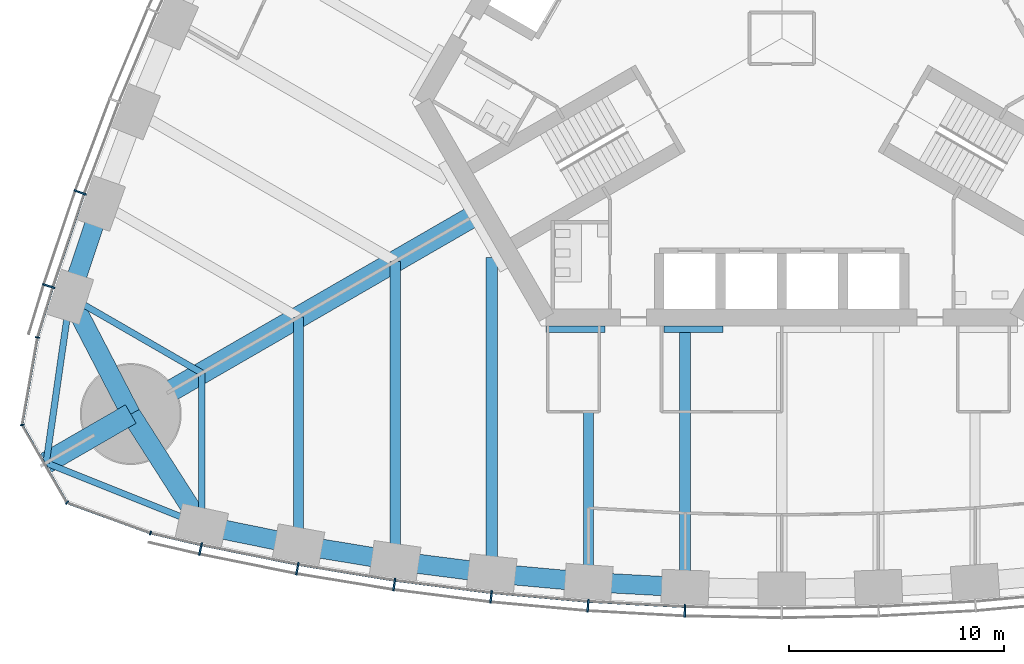
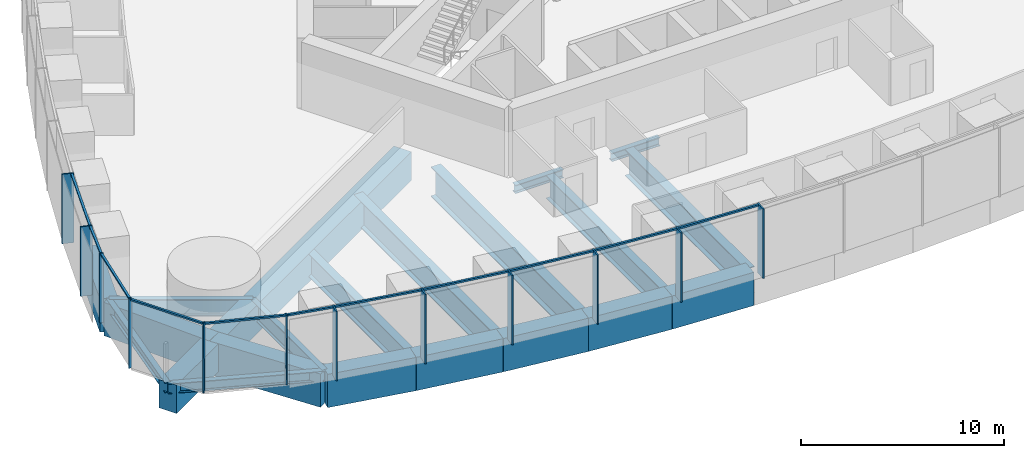
# One storey, part 2 of 19: 23 members, 21 beams, 3 elements without a shape of their own.
"""IFC4 building model written with IfcOpenShell, lengths in metres."""

from ifc_helpers import new_model, si_unit, direction, frame, origin, origin_2d, place, context, subcontext, project, spatial, rectangle, i_section, extrude, material, material_profile, profile_set, type_object, element, aggregate, save


model = new_model("IFC4")

# Units and contexts
model_context = context("Model", 3, precision=1e-05, world=origin(), true_north=direction((0.0, 1.0)))
body_context = subcontext(model_context, "Body", "Model", "MODEL_VIEW")
ifc_project = project(units=[si_unit("LENGTHUNIT", "METRE"), si_unit("AREAUNIT", "SQUARE_METRE"), si_unit("VOLUMEUNIT", "CUBIC_METRE"), si_unit("PLANEANGLEUNIT", "RADIAN"), si_unit("MASSUNIT", "GRAM", prefix="KILO")], contexts=[model_context])

# Site, building, storey
site_placement = place(None, origin())
site = spatial("IfcSite", under=ifc_project, at=site_placement, CompositionType="ELEMENT")
building_placement = place(site_placement, origin())
building = spatial("IfcBuilding", under=site, at=building_placement, Name="Trefoil Bronze Tower", CompositionType="ELEMENT")
storey_placement = place(building_placement, frame((0.0, 0.0, 107.300048828125)))
storey = spatial("IfcBuildingStorey", under=building, at=storey_placement, Name="L24", CompositionType="ELEMENT", Elevation=107.300048828125)

# Curtain wall, members
ifc_material_1 = material(Name="Tinted solar-control glass", Category="glass")
curtain_wall_type_1 = type_object("IfcCurtainWallType", Name="Bronze office curtain wall", PredefinedType="USERDEFINED", material=ifc_material_1)
curtain_wall_1_placement = place(storey_placement, origin())
curtain_wall_1 = element("IfcCurtainWall", 1, at=curtain_wall_1_placement, inside=storey, type_object=curtain_wall_type_1, Name="CW-A L24 F1", ObjectType="CURTAIN WALL", PredefinedType="USERDEFINED")
ifc_material_2 = material(Name="Bronze-finish aluminium", Category="aluminium")
ifc_material_profile_1 = material_profile(ifc_material_2, rectangle(XDim=0.60009765625, YDim=0.080078125, at=origin_2d()), Name="CW-A mullion")
ifc_profile_set_1 = profile_set([ifc_material_profile_1], Name="Bronze-finish aluminium")
member_type_1 = type_object("IfcMemberType", Name="Bronze office curtain wall mullion", PredefinedType="MULLION", material=ifc_profile_set_1)
member_1_placement = place(storey_placement, frame((-27.0634765625, -23.7890625, 0.0), z_axis=(0.0, 0.0, 1.0), x_axis=(0.21197042503, 0.977276081214, 0.0)))
member_1 = element("IfcMember", 2, at=member_1_placement, type_object=member_type_1, Name="CW-A L24 F1 mullion 2", PredefinedType="MULLION", context=body_context, shape_type="SweptSolid", body=[
    extrude(rectangle(XDim=0.60009765625, YDim=0.080078125, at=origin_2d()), origin(), (0.0, 0.0, 1.0), 4.179931640625),
])
member_2_placement = place(storey_placement, frame((-22.553955078125, -24.700927734375, 0.0), z_axis=(0.0, 0.0, 1.0), x_axis=(0.180240853954, 0.98362250613, 0.0)))
member_2 = element("IfcMember", 3, at=member_2_placement, type_object=member_type_1, Name="CW-A L24 F1 mullion 3", PredefinedType="MULLION", context=body_context, shape_type="SweptSolid", body=[
    extrude(rectangle(XDim=0.60009765625, YDim=0.080078125, at=origin_2d()), origin(), (0.0, 0.0, 1.0), 4.179931640625),
])
member_3_placement = place(storey_placement, frame((-18.043212890625, -25.4423828125, 0.0), z_axis=(0.0, 0.0, 1.0), x_axis=(0.144192103798, 0.989549714366, 0.0)))
member_3 = element("IfcMember", 4, at=member_3_placement, type_object=member_type_1, Name="CW-A L24 F1 mullion 4", PredefinedType="MULLION", context=body_context, shape_type="SweptSolid", body=[
    extrude(rectangle(XDim=0.60009765625, YDim=0.080078125, at=origin_2d()), origin(), (0.0, 0.0, 1.0), 4.179931640625),
])
member_4_placement = place(storey_placement, frame((-13.532470703125, -26.01611328125, 0.0), z_axis=(0.0, 0.0, 1.0), x_axis=(0.108143747013, 0.994135267447, 0.0)))
member_4 = element("IfcMember", 5, at=member_4_placement, type_object=member_type_1, Name="CW-A L24 F1 mullion 5", PredefinedType="MULLION", context=body_context, shape_type="SweptSolid", body=[
    extrude(rectangle(XDim=0.60009765625, YDim=0.080078125, at=origin_2d()), origin(), (0.0, 0.0, 1.0), 4.179931640625),
])
member_5_placement = place(storey_placement, frame((-9.021728515625, -26.424072265625, 0.0), z_axis=(0.0, 0.0, 1.0), x_axis=(0.072095676284, 0.997397720802, 0.0)))
member_5 = element("IfcMember", 6, at=member_5_placement, type_object=member_type_1, Name="CW-A L24 F1 mullion 6", PredefinedType="MULLION", context=body_context, shape_type="SweptSolid", body=[
    extrude(rectangle(XDim=0.60009765625, YDim=0.080078125, at=origin_2d()), origin(), (0.0, 0.0, 1.0), 4.179931640625),
])
member_6_placement = place(storey_placement, frame((-4.5107421875, -26.66845703125, 0.0), z_axis=(0.0, 0.0, 1.0), x_axis=(0.036047792107, 0.999350067136, 0.0)))
member_6 = element("IfcMember", 7, at=member_6_placement, type_object=member_type_1, Name="CW-A L24 F1 mullion 7", PredefinedType="MULLION", context=body_context, shape_type="SweptSolid", body=[
    extrude(rectangle(XDim=0.60009765625, YDim=0.080078125, at=origin_2d()), origin(), (0.0, 0.0, 1.0), 4.179931640625),
])

curtain_wall_2_placement = place(storey_placement, origin())
curtain_wall_2 = element("IfcCurtainWall", 8, at=curtain_wall_2_placement, inside=storey, type_object=curtain_wall_type_1, Name="CW-A L24 F3", ObjectType="CURTAIN WALL", PredefinedType="USERDEFINED")
member_7_placement = place(storey_placement, frame((-32.668701171875, -7.181884765625, 0.0), z_axis=(0.0, 0.0, 1.0), x_axis=(0.94196250502, -0.335718094742, 0.0)))
member_7 = element("IfcMember", 9, at=member_7_placement, type_object=member_type_1, Name="CW-A L24 F3 mullion 13", PredefinedType="MULLION", context=body_context, shape_type="SweptSolid", body=[
    extrude(rectangle(XDim=0.60009765625, YDim=0.080078125, at=origin_2d()), origin(), (0.0, 0.0, 1.0), 4.179931640625),
])
member_8_placement = place(storey_placement, frame((-34.1337890625, -11.543212890625, 0.0), z_axis=(0.0, 0.0, 1.0), x_axis=(0.952331125357, -0.30506626768, 0.0)))
member_8 = element("IfcMember", 10, at=member_8_placement, type_object=member_type_1, Name="CW-A L24 F3 mullion 14", PredefinedType="MULLION", context=body_context, shape_type="SweptSolid", body=[
    extrude(rectangle(XDim=0.60009765625, YDim=0.080078125, at=origin_2d()), origin(), (0.0, 0.0, 1.0), 4.179931640625),
])

# Member
ifc_material_3 = material(Name="Bronze-finish aluminium", Category="aluminium")
ifc_material_profile_2 = material_profile(ifc_material_3, rectangle(XDim=0.1201171875, YDim=0.10009765625, at=origin_2d()), Name="CW-A transom")
ifc_profile_set_2 = profile_set([ifc_material_profile_2], Name="Bronze-finish aluminium")
member_type_2 = type_object("IfcMemberType", Name="Bronze office curtain wall transom", PredefinedType="USERDEFINED", material=ifc_profile_set_2)
member_9_placement = place(storey_placement, frame((-29.34130859375, -23.05615234375, 4.1298828125), z_axis=(0.974206243495, -0.225659467196, 0.0), x_axis=(0.225659467196, 0.974206243495, 0.0)))
member_9 = element("IfcMember", 11, at=member_9_placement, type_object=member_type_2, Name="CW-A L24 F1 transom 1", ObjectType="TRANSOM", PredefinedType="USERDEFINED", context=body_context, shape_type="SweptSolid", body=[
    extrude(rectangle(XDim=0.1201171875, YDim=0.10009765625, at=origin_2d()), origin(), (0.0, 0.0, 1.0), 2.340087890625),
])

member_10_placement = place(storey_placement, frame((-26.980712890625, -23.601806640625, 4.1298828125), z_axis=(0.980153749225, -0.198238815273, 0.0), x_axis=(0.198238815273, 0.980153749225, 0.0)))
member_10 = element("IfcMember", 12, at=member_10_placement, type_object=member_type_2, Name="CW-A L24 F1 transom 2", ObjectType="TRANSOM", PredefinedType="USERDEFINED", context=body_context, shape_type="SweptSolid", body=[
    extrude(rectangle(XDim=0.1201171875, YDim=0.10009765625, at=origin_2d()), origin(), (0.0, 0.0, 1.0), 4.51123046875),
])

member_11_placement = place(storey_placement, frame((-22.476806640625, -24.510986328125, 4.1298828125), z_axis=(0.986755265284, -0.162216048636, 0.0), x_axis=(0.162216048636, 0.986755265284, 0.0)))
member_11 = element("IfcMember", 13, at=member_11_placement, type_object=member_type_2, Name="CW-A L24 F1 transom 3", ObjectType="TRANSOM", PredefinedType="USERDEFINED", context=body_context, shape_type="SweptSolid", body=[
    extrude(rectangle(XDim=0.1201171875, YDim=0.10009765625, at=origin_2d()), origin(), (0.0, 0.0, 1.0), 4.48046875),
])

member_12_placement = place(storey_placement, frame((-17.972900390625, -25.249755859375, 4.1298828125), z_axis=(0.992008387848, -0.12617193998, 0.0), x_axis=(0.12617193998, 0.992008387848, 0.0)))
member_12 = element("IfcMember", 14, at=member_12_placement, type_object=member_type_2, Name="CW-A L24 F1 transom 4", ObjectType="TRANSOM", PredefinedType="USERDEFINED", context=body_context, shape_type="SweptSolid", body=[
    extrude(rectangle(XDim=0.1201171875, YDim=0.10009765625, at=origin_2d()), origin(), (0.0, 0.0, 1.0), 4.456298828125),
])

member_13_placement = place(storey_placement, frame((-13.46923828125, -25.821044921875, 4.1298828125), z_axis=(0.995932787062, -0.090099298863, 0.0), x_axis=(0.090099298863, 0.995932787062, 0.0)))
member_13 = element("IfcMember", 15, at=member_13_placement, type_object=member_type_2, Name="CW-A L24 F1 transom 5", ObjectType="TRANSOM", PredefinedType="USERDEFINED", context=body_context, shape_type="SweptSolid", body=[
    extrude(rectangle(XDim=0.1201171875, YDim=0.10009765625, at=origin_2d()), origin(), (0.0, 0.0, 1.0), 4.4384765625),
])

member_14_placement = place(storey_placement, frame((-8.965576171875, -26.22705078125, 4.1298828125), z_axis=(0.998538253569, -0.054049571306, 0.0), x_axis=(0.054049571306, 0.998538253569, 0.0)))
member_14 = element("IfcMember", 16, at=member_14_placement, type_object=member_type_2, Name="CW-A L24 F1 transom 6", ObjectType="TRANSOM", PredefinedType="USERDEFINED", context=body_context, shape_type="SweptSolid", body=[
    extrude(rectangle(XDim=0.1201171875, YDim=0.10009765625, at=origin_2d()), origin(), (0.0, 0.0, 1.0), 4.4267578125),
])

aggregate(curtain_wall_1, [member_1, member_2, member_3, member_4, member_5, member_6, member_9, member_10, member_11, member_12, member_13, member_14])

member_15_placement = place(storey_placement, frame((-32.49365234375, -7.28857421875, 4.1298828125), z_axis=(-0.318386323729, -0.947961048178, 0.0), x_axis=(0.947961048178, -0.318386323729, 0.0)))
member_15 = element("IfcMember", 17, at=member_15_placement, type_object=member_type_2, Name="CW-A L24 F3 transom 13", ObjectType="TRANSOM", PredefinedType="USERDEFINED", context=body_context, shape_type="SweptSolid", body=[
    extrude(rectangle(XDim=0.1201171875, YDim=0.10009765625, at=origin_2d()), origin(), (0.0, 0.0, 1.0), 4.51123046875),
])

member_16_placement = place(storey_placement, frame((-33.955322265625, -11.643798828125, 4.1298828125), z_axis=(-0.291680468798, -0.956515814883, 0.0), x_axis=(0.956515814883, -0.291680468798, 0.0)))
member_16 = element("IfcMember", 18, at=member_16_placement, type_object=member_type_2, Name="CW-A L24 F3 transom 14", ObjectType="TRANSOM", PredefinedType="USERDEFINED", context=body_context, shape_type="SweptSolid", body=[
    extrude(rectangle(XDim=0.1201171875, YDim=0.10009765625, at=origin_2d()), origin(), (0.0, 0.0, 1.0), 2.34033203125),
])

aggregate(curtain_wall_2, [member_7, member_8, member_15, member_16])

# Curtain wall, members
ifc_material_4 = material(Name="Tinted solar-control glass", Category="glass")
curtain_wall_type_2 = type_object("IfcCurtainWallType", Name="Bronze rounded corner curtain wall", PredefinedType="USERDEFINED", material=ifc_material_4)
curtain_wall_3_placement = place(storey_placement, origin())
curtain_wall_3 = element("IfcCurtainWall", 19, at=curtain_wall_3_placement, inside=storey, type_object=curtain_wall_type_2, Name="CW-B L24 K3", ObjectType="CURTAIN WALL", PredefinedType="USERDEFINED")
ifc_material_5 = material(Name="Bronze-finish aluminium", Category="aluminium")
ifc_material_profile_3 = material_profile(ifc_material_5, rectangle(XDim=0.199951171875, YDim=0.06005859375, at=origin_2d()), Name="CW-B mullion")
ifc_profile_set_3 = profile_set([ifc_material_profile_3], Name="Bronze-finish aluminium")
member_type_3 = type_object("IfcMemberType", Name="Bronze rounded corner curtain wall mullion", PredefinedType="MULLION", material=ifc_profile_set_3)
member_17_placement = place(storey_placement, frame((-34.65234375, -13.932373046875, 0.0), z_axis=(0.0, 0.0, 1.0), x_axis=(0.984807753012, -0.173648177667, 0.0)))
member_17 = element("IfcMember", 20, at=member_17_placement, type_object=member_type_3, Name="CW-B L24 K3 mullion 1", PredefinedType="MULLION", context=body_context, shape_type="SweptSolid", body=[
    extrude(rectangle(XDim=0.199951171875, YDim=0.06005859375, at=origin_2d()), origin(), (0.0, 0.0, 1.0), 4.179931640625),
])
member_18_placement = place(storey_placement, frame((-35.364990234375, -18.009033203125, 0.0), z_axis=(0.0, 0.0, 1.0), x_axis=(0.984807753012, 0.173648177667, 0.0)))
member_18 = element("IfcMember", 21, at=member_18_placement, type_object=member_type_3, Name="CW-B L24 K3 mullion 2", PredefinedType="MULLION", context=body_context, shape_type="SweptSolid", body=[
    extrude(rectangle(XDim=0.199951171875, YDim=0.06005859375, at=origin_2d()), origin(), (0.0, 0.0, 1.0), 4.179931640625),
])
member_19_placement = place(storey_placement, frame((-33.27880859375, -21.62255859375, 0.0), z_axis=(0.0, 0.0, 1.0), x_axis=(0.642787609687, 0.766044443119, 0.0)))
member_19 = element("IfcMember", 22, at=member_19_placement, type_object=member_type_3, Name="CW-B L24 K3 mullion 3", PredefinedType="MULLION", context=body_context, shape_type="SweptSolid", body=[
    extrude(rectangle(XDim=0.199951171875, YDim=0.06005859375, at=origin_2d()), origin(), (0.0, 0.0, 1.0), 4.179931640625),
])
member_20_placement = place(storey_placement, frame((-29.391845703125, -23.043701171875, 0.0), z_axis=(0.0, 0.0, 1.0), x_axis=(0.342020143326, 0.939692620786, 0.0)))
member_20 = element("IfcMember", 23, at=member_20_placement, type_object=member_type_3, Name="CW-B L24 K3 mullion 4", PredefinedType="MULLION", context=body_context, shape_type="SweptSolid", body=[
    extrude(rectangle(XDim=0.199951171875, YDim=0.06005859375, at=origin_2d()), origin(), (0.0, 0.0, 1.0), 4.179931640625),
])
ifc_material_6 = material(Name="Bronze-finish aluminium", Category="aluminium")
ifc_material_profile_4 = material_profile(ifc_material_6, rectangle(XDim=0.1201171875, YDim=0.10009765625, at=origin_2d()), Name="CW-B transom")
ifc_profile_set_4 = profile_set([ifc_material_profile_4], Name="Bronze-finish aluminium")
member_type_4 = type_object("IfcMemberType", Name="Bronze rounded corner curtain wall transom", PredefinedType="USERDEFINED", material=ifc_profile_set_4)
member_21_placement = place(storey_placement, frame((-34.657470703125, -13.9619140625, 4.1298828125), z_axis=(-0.173682016639, -0.984801785689, 0.0), x_axis=(0.984801785689, -0.173682016639, 0.0)))
member_21 = element("IfcMember", 24, at=member_21_placement, type_object=member_type_4, Name="CW-B L24 K3 transom 1", ObjectType="TRANSOM", PredefinedType="USERDEFINED", context=body_context, shape_type="SweptSolid", body=[
    extrude(rectangle(XDim=0.1201171875, YDim=0.10009765625, at=origin_2d()), origin(), (0.0, 0.0, 1.0), 4.044189453125),
])
member_22_placement = place(storey_placement, frame((-35.338134765625, -18.067626953125, 4.1298828125), z_axis=(0.500015078168, -0.866016698225, 0.0), x_axis=(0.866016698225, 0.500015078168, 0.0)))
member_22 = element("IfcMember", 25, at=member_22_placement, type_object=member_type_4, Name="CW-B L24 K3 transom 2", ObjectType="TRANSOM", PredefinedType="USERDEFINED", context=body_context, shape_type="SweptSolid", body=[
    extrude(rectangle(XDim=0.1201171875, YDim=0.10009765625, at=origin_2d()), origin(), (0.0, 0.0, 1.0), 4.04443359375),
])
member_23_placement = place(storey_placement, frame((-33.220458984375, -21.650146484375, 4.1298828125), z_axis=(0.939684096629, -0.342043562347, 0.0), x_axis=(0.342043562347, 0.939684096629, 0.0)))
member_23 = element("IfcMember", 26, at=member_23_placement, type_object=member_type_4, Name="CW-B L24 K3 transom 3", ObjectType="TRANSOM", PredefinedType="USERDEFINED", context=body_context, shape_type="SweptSolid", body=[
    extrude(rectangle(XDim=0.1201171875, YDim=0.10009765625, at=origin_2d()), origin(), (0.0, 0.0, 1.0), 4.044189453125),
])
aggregate(curtain_wall_3, [member_17, member_18, member_19, member_20, member_21, member_22, member_23])

# Beams
ifc_material_7 = material(Name="Steel C355", Category="steel")
ifc_material_profile_5 = material_profile(ifc_material_7, i_section(OverallWidth=0.300048828125, OverallDepth=0.5, WebThickness=0.014404296875, FlangeThickness=0.028076171875, FilletRadius=0.027099609375, at=origin_2d()), Name="HEB 500")
ifc_profile_set_5 = profile_set([ifc_material_profile_5], Name="Steel C355")
beam_type_1 = type_object("IfcBeamType", Name="Core seat beam HEB 500", PredefinedType="BEAM", material=ifc_profile_set_5)
for number, where, z_axis, x_axis, name in (
    (27, (-10.9697265625, -13.550048828125, -0.449951171875), (1.0, 0.0, 0.0), (0.0, 1.0, 0.0), "Core seat beam F1/-2 L24"),
    (28, (-5.48486328125, -13.550048828125, -0.449951171875), (1.0, 0.0, 0.0), (0.0, 1.0, 0.0), "Core seat beam F1/-1 L24"),
):
    element("IfcBeam", number, at=place(storey_placement, frame(where, z_axis=z_axis, x_axis=x_axis)), inside=storey, type_object=beam_type_1, Name=name, PredefinedType="BEAM", context=body_context, shape_type="SweptSolid", body=[
        extrude(i_section(OverallWidth=0.300048828125, OverallDepth=0.5, WebThickness=0.014404296875, FlangeThickness=0.028076171875, FilletRadius=0.027099609375, at=origin_2d()), origin(), (0.0, 0.0, 1.0), 2.742431640625),
    ])
ifc_material_8 = material(Name="Concrete B80", Category="concrete")
ifc_material_profile_6 = material_profile(ifc_material_8, rectangle(XDim=1.0, YDim=1.699951171875, at=origin_2d()), Name="RC 1000x1700")
ifc_profile_set_6 = profile_set([ifc_material_profile_6], Name="Concrete B80")
beam_type_2 = type_object("IfcBeamType", Name="Corner cantilever RC 1000x1700", PredefinedType="BEAM", material=ifc_profile_set_6)
beam_1_placement = place(storey_placement, frame((-30.310791015625, -17.5, -1.050048828125), z_axis=(-0.866031878637, -0.499988785058, 0.0), x_axis=(0.499988785058, -0.866031878637, 0.0)))
element("IfcBeam", 29, at=beam_1_placement, inside=storey, type_object=beam_type_2, Name="Corner cantilever K3 L24", PredefinedType="BEAM", context=body_context, shape_type="SweptSolid", body=[
    extrude(rectangle(XDim=1.0, YDim=1.699951171875, at=origin_2d()), origin(), (0.0, 0.0, 1.0), 4.54931640625),
])
ifc_material_9 = material(Name="Steel C355", Category="steel")
ifc_material_profile_7 = material_profile(ifc_material_9, i_section(OverallWidth=0.300048828125, OverallDepth=0.60009765625, WebThickness=0.015380859375, FlangeThickness=0.030029296875, FilletRadius=0.027099609375, at=origin_2d()), Name="HEB 600")
ifc_profile_set_7 = profile_set([ifc_material_profile_7], Name="Steel C355")
beam_type_3 = type_object("IfcBeamType", Name="Corner edge beam HEB 600", PredefinedType="BEAM", material=ifc_profile_set_7)
for number, where, z_axis, x_axis, name in (
    (30, (-27.0, -22.67724609375, -0.5), (-0.928375332495, 0.371643972122, 0.0), (-0.371643972122, -0.928375332495, 0.0), "Corner edge beam F1B L24"),
    (31, (-33.13916015625, -12.044189453125, -0.5), (-0.142327214588, -0.989819662357, 0.0), (0.989819662357, -0.142327214588, 0.0), "Corner edge beam F3A L24"),
):
    element("IfcBeam", number, at=place(storey_placement, frame(where, z_axis=z_axis, x_axis=x_axis)), inside=storey, type_object=beam_type_3, Name=name, PredefinedType="BEAM", context=body_context, shape_type="SweptSolid", body=[
        extrude(i_section(OverallWidth=0.300048828125, OverallDepth=0.60009765625, WebThickness=0.015380859375, FlangeThickness=0.030029296875, FilletRadius=0.027099609375, at=origin_2d()), origin(), (0.0, 0.0, 1.0), 7.81005859375),
    ])
ifc_material_10 = material(Name="Concrete B80", Category="concrete")
ifc_material_profile_8 = material_profile(ifc_material_10, rectangle(XDim=1.0, YDim=1.699951171875, at=origin_2d()), Name="RC 1000x1700")
ifc_profile_set_8 = profile_set([ifc_material_profile_8], Name="Concrete B80")
beam_type_4 = type_object("IfcBeamType", Name="Corner girder RC 1000x1700", PredefinedType="BEAM", material=ifc_profile_set_8)
beam_2_placement = place(storey_placement, frame((-14.202880859375, -8.199951171875, -1.050048828125), z_axis=(-0.866022084834, -0.500005748546, 0.0), x_axis=(0.500005748546, -0.866022084834, 0.0)))
element("IfcBeam", 32, at=beam_2_placement, inside=storey, type_object=beam_type_4, Name="Corner girder K3 L24", PredefinedType="BEAM", context=body_context, shape_type="SweptSolid", body=[
    extrude(rectangle(XDim=1.0, YDim=1.699951171875, at=origin_2d()), origin(), (0.0, 0.0, 1.0), 18.599853515625),
])
ifc_material_11 = material(Name="Concrete B80", Category="concrete")
ifc_material_profile_9 = material_profile(ifc_material_11, rectangle(XDim=0.89990234375, YDim=2.0, at=origin_2d()), Name="RC 900x2000")
ifc_profile_set_9 = profile_set([ifc_material_profile_9], Name="Concrete B80")
beam_type_5 = type_object("IfcBeamType", Name="End spandrel beam RC 900x2000", PredefinedType="SPANDREL", material=ifc_profile_set_9)
for number, where, z_axis, x_axis, name in (
    (33, (-30.310791015625, -17.5, -1.199951171875), (0.53874814953, -0.84246687257, 0.0), (0.84246687257, 0.53874814953, 0.0), "Spandrel F1.1 L24"),
    (34, (-33.13916015625, -12.044189453125, -1.199951171875), (0.460244107083, -0.887792409235, 0.0), (0.887792409235, 0.460244107083, 0.0), "Spandrel F3.14 L24"),
):
    element("IfcBeam", number, at=place(storey_placement, frame(where, z_axis=z_axis, x_axis=x_axis)), inside=storey, type_object=beam_type_5, Name=name, PredefinedType="SPANDREL", context=body_context, shape_type="SweptSolid", body=[
        extrude(rectangle(XDim=0.89990234375, YDim=2.0, at=origin_2d()), origin(), (0.0, 0.0, 1.0), 6.145263671875),
    ])
ifc_material_12 = material(Name="Steel C355", Category="steel")
ifc_material_profile_10 = material_profile(ifc_material_12, i_section(OverallWidth=0.300048828125, OverallDepth=1.0, WebThickness=0.01904296875, FlangeThickness=0.035888671875, FilletRadius=0.030029296875, at=origin_2d()), Name="HEB 1000")
ifc_profile_set_10 = profile_set([ifc_material_profile_10], Name="Steel C355")
beam_type_6 = type_object("IfcBeamType", Name="Floor beam HEB 1000", PredefinedType="BEAM", material=ifc_profile_set_10)
for number, where, z_axis, x_axis, name in (
    (35, (-27.0, -22.67724609375, -0.699951171875), (0.0, 1.0, 0.0), (-1.0, 0.0, 0.0), "Floor beam F1/-6 L24"),
    (36, (-33.13916015625, -12.044189453125, -0.699951171875), (0.866041060244, -0.499972881236, 0.0), (0.499972881236, 0.866041060244, 0.0), "Floor beam F3/+6 L24"),
):
    element("IfcBeam", number, at=place(storey_placement, frame(where, z_axis=z_axis, x_axis=x_axis)), inside=storey, type_object=beam_type_6, Name=name, PredefinedType="BEAM", context=body_context, shape_type="SweptSolid", body=[
        extrude(i_section(OverallWidth=0.300048828125, OverallDepth=1.0, WebThickness=0.01904296875, FlangeThickness=0.035888671875, FilletRadius=0.030029296875, at=origin_2d()), origin(), (0.0, 0.0, 1.0), 7.0888671875),
    ])
ifc_material_13 = material(Name="Steel C355", Category="steel")
ifc_material_profile_11 = material_profile(ifc_material_13, i_section(OverallWidth=0.449951171875, OverallDepth=1.39990234375, WebThickness=0.02294921875, FlangeThickness=0.044921875, FilletRadius=0.011962890625, at=origin_2d()), Name="WPG 1400")
ifc_profile_set_11 = profile_set([ifc_material_profile_11], Name="Steel C355")
beam_type_7 = type_object("IfcBeamType", Name="Floor beam WPG 1400", PredefinedType="BEAM", material=ifc_profile_set_11)
beam_3_placement = place(storey_placement, frame((-22.5, -23.592529296875, -0.900146484375), z_axis=(0.0, 1.0, 0.0), x_axis=(-1.0, 0.0, 0.0)))
element("IfcBeam", 37, at=beam_3_placement, inside=storey, type_object=beam_type_7, Name="Floor beam F1/-5 L24", PredefinedType="BEAM", context=body_context, shape_type="SweptSolid", body=[
    extrude(i_section(OverallWidth=0.449951171875, OverallDepth=1.39990234375, WebThickness=0.02294921875, FlangeThickness=0.044921875, FilletRadius=0.011962890625, at=origin_2d()), origin(), (0.0, 0.0, 1.0), 10.60205078125),
])
beam_4_placement = place(storey_placement, frame((-9.0, -25.32275390625, -0.900146484375), z_axis=(0.0, 1.0, 0.0), x_axis=(-1.0, 0.0, 0.0)))
element("IfcBeam", 38, at=beam_4_placement, inside=storey, type_object=beam_type_7, Name="Floor beam F1/-2 L24", PredefinedType="BEAM", context=body_context, shape_type="SweptSolid", body=[
    extrude(i_section(OverallWidth=0.449951171875, OverallDepth=1.39990234375, WebThickness=0.02294921875, FlangeThickness=0.044921875, FilletRadius=0.011962890625, at=origin_2d()), origin(), (0.0, 0.0, 1.0), 11.622802734375),
])
ifc_material_14 = material(Name="Steel C355", Category="steel")
ifc_material_profile_12 = material_profile(ifc_material_14, i_section(OverallWidth=0.5, OverallDepth=1.60009765625, WebThickness=0.02587890625, FlangeThickness=0.050048828125, FilletRadius=0.011962890625, at=origin_2d()), Name="WPG 1600")
ifc_profile_set_12 = profile_set([ifc_material_profile_12], Name="Steel C355")
beam_type_8 = type_object("IfcBeamType", Name="Floor beam WPG 1600", PredefinedType="BEAM", material=ifc_profile_set_12)
beam_5_placement = place(storey_placement, frame((-18.0, -24.337158203125, -1.0), z_axis=(0.0, 1.0, 0.0), x_axis=(-1.0, 0.0, 0.0)))
element("IfcBeam", 39, at=beam_5_placement, inside=storey, type_object=beam_type_8, Name="Floor beam F1/-4 L24", PredefinedType="BEAM", context=body_context, shape_type="SweptSolid", body=[
    extrude(i_section(OverallWidth=0.5, OverallDepth=1.60009765625, WebThickness=0.02587890625, FlangeThickness=0.050048828125, FilletRadius=0.011962890625, at=origin_2d()), origin(), (0.0, 0.0, 1.0), 13.94482421875),
])
beam_6_placement = place(storey_placement, frame((-4.5, -25.568115234375, -1.0), z_axis=(0.0, 1.0, 0.0), x_axis=(-1.0, 0.0, 0.0)))
element("IfcBeam", 40, at=beam_6_placement, inside=storey, type_object=beam_type_8, Name="Floor beam F1/-1 L24", PredefinedType="BEAM", context=body_context, shape_type="SweptSolid", body=[
    extrude(i_section(OverallWidth=0.5, OverallDepth=1.60009765625, WebThickness=0.02587890625, FlangeThickness=0.050048828125, FilletRadius=0.011962890625, at=origin_2d()), origin(), (0.0, 0.0, 1.0), 11.8681640625),
])
ifc_material_15 = material(Name="Steel C355", Category="steel")
ifc_material_profile_13 = material_profile(ifc_material_15, i_section(OverallWidth=0.550048828125, OverallDepth=1.800048828125, WebThickness=0.029052734375, FlangeThickness=0.054931640625, FilletRadius=0.013916015625, at=origin_2d()), Name="WPG 1800")
ifc_profile_set_13 = profile_set([ifc_material_profile_13], Name="Steel C355")
beam_type_9 = type_object("IfcBeamType", Name="Floor beam WPG 1800", PredefinedType="BEAM", material=ifc_profile_set_13)
beam_7_placement = place(storey_placement, frame((-13.5, -24.9130859375, -1.10009765625), z_axis=(0.0, 1.0, 0.0), x_axis=(-1.0, 0.0, 0.0)))
element("IfcBeam", 41, at=beam_7_placement, inside=storey, type_object=beam_type_9, Name="Floor beam F1/-3 L24", PredefinedType="BEAM", context=body_context, shape_type="SweptSolid", body=[
    extrude(i_section(OverallWidth=0.550048828125, OverallDepth=1.800048828125, WebThickness=0.029052734375, FlangeThickness=0.054931640625, FilletRadius=0.013916015625, at=origin_2d()), origin(), (0.0, 0.0, 1.0), 14.69580078125),
])
ifc_material_16 = material(Name="Concrete B80", Category="concrete")
ifc_material_profile_14 = material_profile(ifc_material_16, rectangle(XDim=0.89990234375, YDim=2.0, at=origin_2d()), Name="RC 900x2000")
ifc_profile_set_14 = profile_set([ifc_material_profile_14], Name="Concrete B80")
beam_type_10 = type_object("IfcBeamType", Name="Spandrel beam RC 900x2000", PredefinedType="SPANDREL", material=ifc_profile_set_14)
beam_8_placement = place(storey_placement, frame((-27.0, -22.67724609375, -1.199951171875), z_axis=(0.979935430296, -0.199315208777, 0.0), x_axis=(0.199315208777, 0.979935430296, 0.0)))
element("IfcBeam", 42, at=beam_8_placement, inside=storey, type_object=beam_type_10, Name="Spandrel F1.2 L24", PredefinedType="SPANDREL", context=body_context, shape_type="SweptSolid", body=[
    extrude(rectangle(XDim=0.89990234375, YDim=2.0, at=origin_2d()), origin(), (0.0, 0.0, 1.0), 4.592041015625),
])
beam_9_placement = place(storey_placement, frame((-22.5, -23.592529296875, -1.199951171875), z_axis=(0.986584214684, -0.163253138823, 0.0), x_axis=(0.163253138823, 0.986584214684, 0.0)))
element("IfcBeam", 43, at=beam_9_placement, inside=storey, type_object=beam_type_10, Name="Spandrel F1.3 L24", PredefinedType="SPANDREL", context=body_context, shape_type="SweptSolid", body=[
    extrude(rectangle(XDim=0.89990234375, YDim=2.0, at=origin_2d()), origin(), (0.0, 0.0, 1.0), 4.561279296875),
])
beam_10_placement = place(storey_placement, frame((-18.0, -24.337158203125, -1.199951171875), z_axis=(0.991909314257, -0.126948463126, 0.0), x_axis=(0.126948463126, 0.991909314257, 0.0)))
element("IfcBeam", 44, at=beam_10_placement, inside=storey, type_object=beam_type_10, Name="Spandrel F1.4 L24", PredefinedType="SPANDREL", context=body_context, shape_type="SweptSolid", body=[
    extrude(rectangle(XDim=0.89990234375, YDim=2.0, at=origin_2d()), origin(), (0.0, 0.0, 1.0), 4.53662109375),
])
beam_11_placement = place(storey_placement, frame((-13.5, -24.9130859375, -1.199951171875), z_axis=(0.995881683815, -0.090662405894, 0.0), x_axis=(0.090662405894, 0.995881683815, 0.0)))
element("IfcBeam", 45, at=beam_11_placement, inside=storey, type_object=beam_type_10, Name="Spandrel F1.5 L24", PredefinedType="SPANDREL", context=body_context, shape_type="SweptSolid", body=[
    extrude(rectangle(XDim=0.89990234375, YDim=2.0, at=origin_2d()), origin(), (0.0, 0.0, 1.0), 4.5185546875),
])
beam_12_placement = place(storey_placement, frame((-9.0, -25.32275390625, -1.199951171875), z_axis=(0.998516832602, -0.054443870267, 0.0), x_axis=(0.054443870267, 0.998516832602, 0.0)))
element("IfcBeam", 46, at=beam_12_placement, inside=storey, type_object=beam_type_10, Name="Spandrel F1.6 L24", PredefinedType="SPANDREL", context=body_context, shape_type="SweptSolid", body=[
    extrude(rectangle(XDim=0.89990234375, YDim=2.0, at=origin_2d()), origin(), (0.0, 0.0, 1.0), 4.506591796875),
])
beam_13_placement = place(storey_placement, frame((-31.681884765625, -7.689208984375, -1.199951171875), z_axis=(-0.31732802068, -0.948315837309, 0.0), x_axis=(0.948315837309, -0.31732802068, 0.0)))
element("IfcBeam", 47, at=beam_13_placement, inside=storey, type_object=beam_type_10, Name="Spandrel F3.13 L24", PredefinedType="SPANDREL", context=body_context, shape_type="SweptSolid", body=[
    extrude(rectangle(XDim=0.89990234375, YDim=2.0, at=origin_2d()), origin(), (0.0, 0.0, 1.0), 4.59228515625),
])

save(model, "model.ifc")
